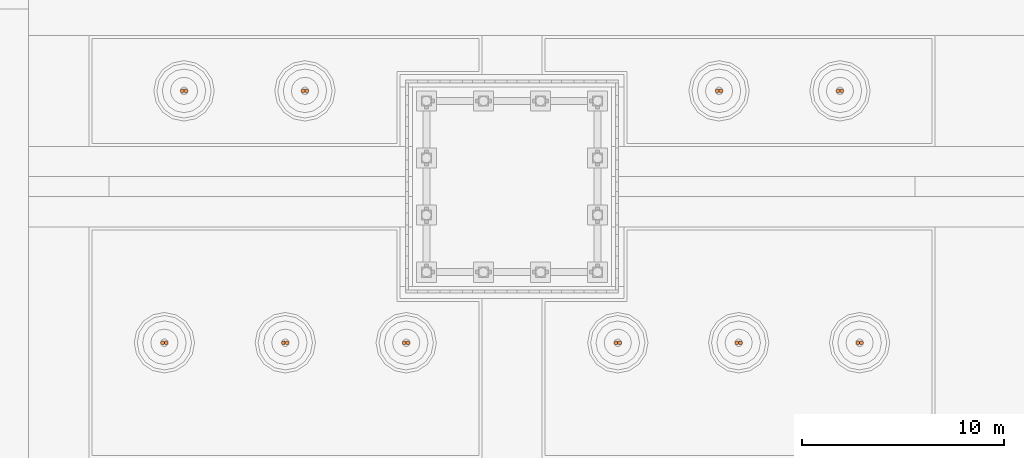
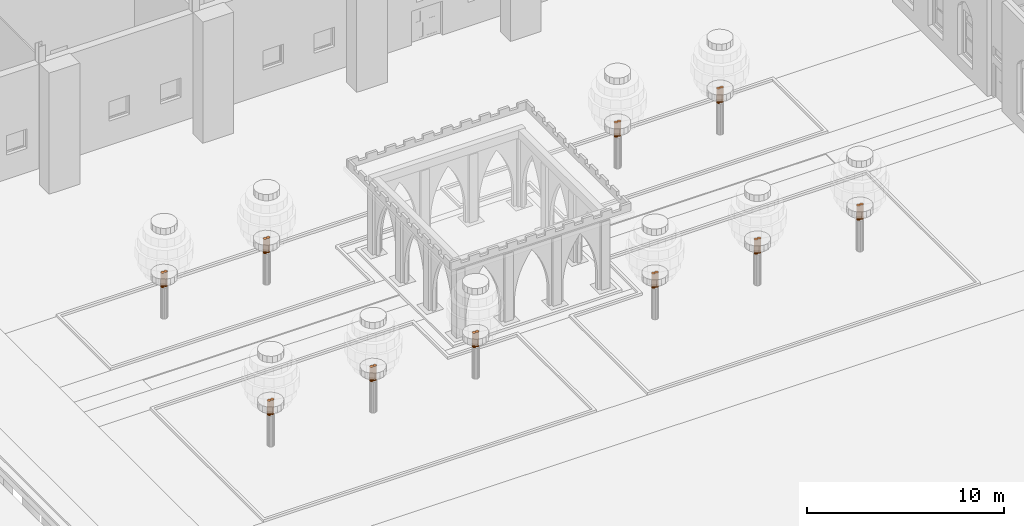
# One storey, part 249 of 250: 20 geographic elements.
"""IFC4 building model written with IfcOpenShell, lengths in metres."""

from ifc_helpers import new_model, si_unit, direction, frame, origin, place, context, subcontext, project, spatial, polyline, outline, extrude, material, type_object, element, save


model = new_model("IFC4")

# Units and contexts
model_context = context("Model", 3, precision=1e-05, world=origin(), true_north=direction((0.0, 1.0)))
body_context = subcontext(model_context, "Body", "Model", "MODEL_VIEW")
ifc_project = project(units=[si_unit("LENGTHUNIT", "METRE"), si_unit("AREAUNIT", "SQUARE_METRE"), si_unit("VOLUMEUNIT", "CUBIC_METRE"), si_unit("PLANEANGLEUNIT", "RADIAN"), si_unit("MASSUNIT", "GRAM", prefix="KILO")], contexts=[model_context])

# Site, building, storey
site_placement = place(None, origin())
site = spatial("IfcSite", under=ifc_project, at=site_placement, CompositionType="ELEMENT")
building_placement = place(site_placement, origin())
building = spatial("IfcBuilding", under=site, at=building_placement, Name="Baradari Gate Terminus", CompositionType="ELEMENT")
storey_placement = place(building_placement, origin())
storey = spatial("IfcBuildingStorey", under=building, at=storey_placement, Name="L00", CompositionType="ELEMENT", Elevation=0.0)

# Geographic elements
ifc_material = material(Name="Timber, hardwood", Category="wood")
geographic_element_type = type_object("IfcGeographicElementType", Name="Garden tree limb TR-12 200x900", PredefinedType="USERDEFINED", material=ifc_material)
geographic_element_1_placement = place(storey_placement, frame((0.0, 0.0, 1.89990234375)))
element("IfcGeographicElement", 1, at=geographic_element_1_placement, inside=storey, type_object=geographic_element_type, Name="Garden tree 13 limb 1", ObjectType="TREE", PredefinedType="USERDEFINED", context=body_context, shape_type="SweptSolid", body=[
    extrude(outline(polyline([(15.760009765625, 89.75), (15.75244140625, 89.788330078125), (15.730712890625, 89.82080078125), (15.6982421875, 89.84228515625), (15.659912109375, 89.85009765625), (15.621826171875, 89.84228515625), (15.58935546875, 89.82080078125), (15.567626953125, 89.788330078125), (15.56005859375, 89.75), (15.567626953125, 89.711669921875), (15.58935546875, 89.67919921875), (15.621826171875, 89.65771484375), (15.659912109375, 89.64990234375), (15.6982421875, 89.65771484375), (15.730712890625, 89.67919921875), (15.75244140625, 89.711669921875), (15.760009765625, 89.75)])), origin(), (0.0, 0.0, 1.0), 0.900146484375),
])
geographic_element_2_placement = place(storey_placement, frame((0.0, 0.0, 1.89990234375)))
element("IfcGeographicElement", 2, at=geographic_element_2_placement, inside=storey, type_object=geographic_element_type, Name="Garden tree 13 limb 2", ObjectType="TREE", PredefinedType="USERDEFINED", context=body_context, shape_type="SweptSolid", body=[
    extrude(outline(polyline([(15.93994140625, 89.75), (15.932373046875, 89.788330078125), (15.91064453125, 89.82080078125), (15.878173828125, 89.84228515625), (15.840087890625, 89.85009765625), (15.8017578125, 89.84228515625), (15.769287109375, 89.82080078125), (15.74755859375, 89.788330078125), (15.739990234375, 89.75), (15.74755859375, 89.711669921875), (15.769287109375, 89.67919921875), (15.8017578125, 89.65771484375), (15.840087890625, 89.64990234375), (15.878173828125, 89.65771484375), (15.91064453125, 89.67919921875), (15.932373046875, 89.711669921875), (15.93994140625, 89.75)])), origin(), (0.0, 0.0, 1.0), 0.900146484375),
])
geographic_element_3_placement = place(storey_placement, frame((0.0, 0.0, 1.89990234375)))
element("IfcGeographicElement", 3, at=geographic_element_3_placement, inside=storey, type_object=geographic_element_type, Name="Garden tree 14 limb 1", ObjectType="TREE", PredefinedType="USERDEFINED", context=body_context, shape_type="SweptSolid", body=[
    extrude(outline(polyline([(21.760009765625, 89.75), (21.75244140625, 89.788330078125), (21.730712890625, 89.82080078125), (21.6982421875, 89.84228515625), (21.659912109375, 89.85009765625), (21.621826171875, 89.84228515625), (21.58935546875, 89.82080078125), (21.567626953125, 89.788330078125), (21.56005859375, 89.75), (21.567626953125, 89.711669921875), (21.58935546875, 89.67919921875), (21.621826171875, 89.65771484375), (21.659912109375, 89.64990234375), (21.6982421875, 89.65771484375), (21.730712890625, 89.67919921875), (21.75244140625, 89.711669921875), (21.760009765625, 89.75)])), origin(), (0.0, 0.0, 1.0), 0.900146484375),
])
geographic_element_4_placement = place(storey_placement, frame((0.0, 0.0, 1.89990234375)))
element("IfcGeographicElement", 4, at=geographic_element_4_placement, inside=storey, type_object=geographic_element_type, Name="Garden tree 14 limb 2", ObjectType="TREE", PredefinedType="USERDEFINED", context=body_context, shape_type="SweptSolid", body=[
    extrude(outline(polyline([(21.93994140625, 89.75), (21.932373046875, 89.788330078125), (21.91064453125, 89.82080078125), (21.878173828125, 89.84228515625), (21.840087890625, 89.85009765625), (21.8017578125, 89.84228515625), (21.769287109375, 89.82080078125), (21.74755859375, 89.788330078125), (21.739990234375, 89.75), (21.74755859375, 89.711669921875), (21.769287109375, 89.67919921875), (21.8017578125, 89.65771484375), (21.840087890625, 89.64990234375), (21.878173828125, 89.65771484375), (21.91064453125, 89.67919921875), (21.932373046875, 89.711669921875), (21.93994140625, 89.75)])), origin(), (0.0, 0.0, 1.0), 0.900146484375),
])
geographic_element_5_placement = place(storey_placement, frame((0.0, 0.0, 1.89990234375)))
element("IfcGeographicElement", 5, at=geographic_element_5_placement, inside=storey, type_object=geographic_element_type, Name="Garden tree 15 limb 1", ObjectType="TREE", PredefinedType="USERDEFINED", context=body_context, shape_type="SweptSolid", body=[
    extrude(outline(polyline([(27.760009765625, 89.75), (27.75244140625, 89.788330078125), (27.730712890625, 89.82080078125), (27.6982421875, 89.84228515625), (27.659912109375, 89.85009765625), (27.621826171875, 89.84228515625), (27.58935546875, 89.82080078125), (27.567626953125, 89.788330078125), (27.56005859375, 89.75), (27.567626953125, 89.711669921875), (27.58935546875, 89.67919921875), (27.621826171875, 89.65771484375), (27.659912109375, 89.64990234375), (27.6982421875, 89.65771484375), (27.730712890625, 89.67919921875), (27.75244140625, 89.711669921875), (27.760009765625, 89.75)])), origin(), (0.0, 0.0, 1.0), 0.900146484375),
])
geographic_element_6_placement = place(storey_placement, frame((0.0, 0.0, 1.89990234375)))
element("IfcGeographicElement", 6, at=geographic_element_6_placement, inside=storey, type_object=geographic_element_type, Name="Garden tree 15 limb 2", ObjectType="TREE", PredefinedType="USERDEFINED", context=body_context, shape_type="SweptSolid", body=[
    extrude(outline(polyline([(27.93994140625, 89.75), (27.932373046875, 89.788330078125), (27.91064453125, 89.82080078125), (27.878173828125, 89.84228515625), (27.840087890625, 89.85009765625), (27.8017578125, 89.84228515625), (27.769287109375, 89.82080078125), (27.74755859375, 89.788330078125), (27.739990234375, 89.75), (27.74755859375, 89.711669921875), (27.769287109375, 89.67919921875), (27.8017578125, 89.65771484375), (27.840087890625, 89.64990234375), (27.878173828125, 89.65771484375), (27.91064453125, 89.67919921875), (27.932373046875, 89.711669921875), (27.93994140625, 89.75)])), origin(), (0.0, 0.0, 1.0), 0.900146484375),
])
geographic_element_7_placement = place(storey_placement, frame((0.0, 0.0, 1.89990234375)))
element("IfcGeographicElement", 7, at=geographic_element_7_placement, inside=storey, type_object=geographic_element_type, Name="Garden tree 16 limb 1", ObjectType="TREE", PredefinedType="USERDEFINED", context=body_context, shape_type="SweptSolid", body=[
    extrude(outline(polyline([(16.735107421875, 102.25), (16.727294921875, 102.288330078125), (16.705810546875, 102.32080078125), (16.67333984375, 102.34228515625), (16.635009765625, 102.35009765625), (16.5966796875, 102.34228515625), (16.564208984375, 102.32080078125), (16.542724609375, 102.288330078125), (16.534912109375, 102.25), (16.542724609375, 102.211669921875), (16.564208984375, 102.17919921875), (16.5966796875, 102.15771484375), (16.635009765625, 102.14990234375), (16.67333984375, 102.15771484375), (16.705810546875, 102.17919921875), (16.727294921875, 102.211669921875), (16.735107421875, 102.25)])), origin(), (0.0, 0.0, 1.0), 0.900146484375),
])
geographic_element_8_placement = place(storey_placement, frame((0.0, 0.0, 1.89990234375)))
element("IfcGeographicElement", 8, at=geographic_element_8_placement, inside=storey, type_object=geographic_element_type, Name="Garden tree 16 limb 2", ObjectType="TREE", PredefinedType="USERDEFINED", context=body_context, shape_type="SweptSolid", body=[
    extrude(outline(polyline([(16.9150390625, 102.25), (16.907470703125, 102.288330078125), (16.8857421875, 102.32080078125), (16.853271484375, 102.34228515625), (16.81494140625, 102.35009765625), (16.776611328125, 102.34228515625), (16.744384765625, 102.32080078125), (16.72265625, 102.288330078125), (16.715087890625, 102.25), (16.72265625, 102.211669921875), (16.744384765625, 102.17919921875), (16.776611328125, 102.15771484375), (16.81494140625, 102.14990234375), (16.853271484375, 102.15771484375), (16.8857421875, 102.17919921875), (16.907470703125, 102.211669921875), (16.9150390625, 102.25)])), origin(), (0.0, 0.0, 1.0), 0.900146484375),
])
geographic_element_9_placement = place(storey_placement, frame((0.0, 0.0, 1.89990234375)))
element("IfcGeographicElement", 9, at=geographic_element_9_placement, inside=storey, type_object=geographic_element_type, Name="Garden tree 17 limb 1", ObjectType="TREE", PredefinedType="USERDEFINED", context=body_context, shape_type="SweptSolid", body=[
    extrude(outline(polyline([(22.735107421875, 102.25), (22.727294921875, 102.288330078125), (22.705810546875, 102.32080078125), (22.67333984375, 102.34228515625), (22.635009765625, 102.35009765625), (22.5966796875, 102.34228515625), (22.564208984375, 102.32080078125), (22.542724609375, 102.288330078125), (22.534912109375, 102.25), (22.542724609375, 102.211669921875), (22.564208984375, 102.17919921875), (22.5966796875, 102.15771484375), (22.635009765625, 102.14990234375), (22.67333984375, 102.15771484375), (22.705810546875, 102.17919921875), (22.727294921875, 102.211669921875), (22.735107421875, 102.25)])), origin(), (0.0, 0.0, 1.0), 0.900146484375),
])
geographic_element_10_placement = place(storey_placement, frame((0.0, 0.0, 1.89990234375)))
element("IfcGeographicElement", 10, at=geographic_element_10_placement, inside=storey, type_object=geographic_element_type, Name="Garden tree 17 limb 2", ObjectType="TREE", PredefinedType="USERDEFINED", context=body_context, shape_type="SweptSolid", body=[
    extrude(outline(polyline([(22.9150390625, 102.25), (22.907470703125, 102.288330078125), (22.8857421875, 102.32080078125), (22.853271484375, 102.34228515625), (22.81494140625, 102.35009765625), (22.776611328125, 102.34228515625), (22.744384765625, 102.32080078125), (22.72265625, 102.288330078125), (22.715087890625, 102.25), (22.72265625, 102.211669921875), (22.744384765625, 102.17919921875), (22.776611328125, 102.15771484375), (22.81494140625, 102.14990234375), (22.853271484375, 102.15771484375), (22.8857421875, 102.17919921875), (22.907470703125, 102.211669921875), (22.9150390625, 102.25)])), origin(), (0.0, 0.0, 1.0), 0.900146484375),
])
geographic_element_11_placement = place(storey_placement, frame((0.0, 0.0, 1.89990234375)))
element("IfcGeographicElement", 11, at=geographic_element_11_placement, inside=storey, type_object=geographic_element_type, Name="Garden tree 18 limb 1", ObjectType="TREE", PredefinedType="USERDEFINED", context=body_context, shape_type="SweptSolid", body=[
    extrude(outline(polyline([(38.260009765625, 89.75), (38.25244140625, 89.788330078125), (38.230712890625, 89.82080078125), (38.1982421875, 89.84228515625), (38.159912109375, 89.85009765625), (38.121826171875, 89.84228515625), (38.08935546875, 89.82080078125), (38.067626953125, 89.788330078125), (38.06005859375, 89.75), (38.067626953125, 89.711669921875), (38.08935546875, 89.67919921875), (38.121826171875, 89.65771484375), (38.159912109375, 89.64990234375), (38.1982421875, 89.65771484375), (38.230712890625, 89.67919921875), (38.25244140625, 89.711669921875), (38.260009765625, 89.75)])), origin(), (0.0, 0.0, 1.0), 0.900146484375),
])
geographic_element_12_placement = place(storey_placement, frame((0.0, 0.0, 1.89990234375)))
element("IfcGeographicElement", 12, at=geographic_element_12_placement, inside=storey, type_object=geographic_element_type, Name="Garden tree 18 limb 2", ObjectType="TREE", PredefinedType="USERDEFINED", context=body_context, shape_type="SweptSolid", body=[
    extrude(outline(polyline([(38.43994140625, 89.75), (38.432373046875, 89.788330078125), (38.41064453125, 89.82080078125), (38.378173828125, 89.84228515625), (38.340087890625, 89.85009765625), (38.3017578125, 89.84228515625), (38.269287109375, 89.82080078125), (38.24755859375, 89.788330078125), (38.239990234375, 89.75), (38.24755859375, 89.711669921875), (38.269287109375, 89.67919921875), (38.3017578125, 89.65771484375), (38.340087890625, 89.64990234375), (38.378173828125, 89.65771484375), (38.41064453125, 89.67919921875), (38.432373046875, 89.711669921875), (38.43994140625, 89.75)])), origin(), (0.0, 0.0, 1.0), 0.900146484375),
])
geographic_element_13_placement = place(storey_placement, frame((0.0, 0.0, 1.89990234375)))
element("IfcGeographicElement", 13, at=geographic_element_13_placement, inside=storey, type_object=geographic_element_type, Name="Garden tree 19 limb 1", ObjectType="TREE", PredefinedType="USERDEFINED", context=body_context, shape_type="SweptSolid", body=[
    extrude(outline(polyline([(44.260009765625, 89.75), (44.25244140625, 89.788330078125), (44.230712890625, 89.82080078125), (44.1982421875, 89.84228515625), (44.159912109375, 89.85009765625), (44.121826171875, 89.84228515625), (44.08935546875, 89.82080078125), (44.067626953125, 89.788330078125), (44.06005859375, 89.75), (44.067626953125, 89.711669921875), (44.08935546875, 89.67919921875), (44.121826171875, 89.65771484375), (44.159912109375, 89.64990234375), (44.1982421875, 89.65771484375), (44.230712890625, 89.67919921875), (44.25244140625, 89.711669921875), (44.260009765625, 89.75)])), origin(), (0.0, 0.0, 1.0), 0.900146484375),
])
geographic_element_14_placement = place(storey_placement, frame((0.0, 0.0, 1.89990234375)))
element("IfcGeographicElement", 14, at=geographic_element_14_placement, inside=storey, type_object=geographic_element_type, Name="Garden tree 19 limb 2", ObjectType="TREE", PredefinedType="USERDEFINED", context=body_context, shape_type="SweptSolid", body=[
    extrude(outline(polyline([(44.43994140625, 89.75), (44.432373046875, 89.788330078125), (44.41064453125, 89.82080078125), (44.378173828125, 89.84228515625), (44.340087890625, 89.85009765625), (44.3017578125, 89.84228515625), (44.269287109375, 89.82080078125), (44.24755859375, 89.788330078125), (44.239990234375, 89.75), (44.24755859375, 89.711669921875), (44.269287109375, 89.67919921875), (44.3017578125, 89.65771484375), (44.340087890625, 89.64990234375), (44.378173828125, 89.65771484375), (44.41064453125, 89.67919921875), (44.432373046875, 89.711669921875), (44.43994140625, 89.75)])), origin(), (0.0, 0.0, 1.0), 0.900146484375),
])
geographic_element_15_placement = place(storey_placement, frame((0.0, 0.0, 1.89990234375)))
element("IfcGeographicElement", 15, at=geographic_element_15_placement, inside=storey, type_object=geographic_element_type, Name="Garden tree 20 limb 1", ObjectType="TREE", PredefinedType="USERDEFINED", context=body_context, shape_type="SweptSolid", body=[
    extrude(outline(polyline([(50.260009765625, 89.75), (50.25244140625, 89.788330078125), (50.230712890625, 89.82080078125), (50.1982421875, 89.84228515625), (50.159912109375, 89.85009765625), (50.121826171875, 89.84228515625), (50.08935546875, 89.82080078125), (50.067626953125, 89.788330078125), (50.06005859375, 89.75), (50.067626953125, 89.711669921875), (50.08935546875, 89.67919921875), (50.121826171875, 89.65771484375), (50.159912109375, 89.64990234375), (50.1982421875, 89.65771484375), (50.230712890625, 89.67919921875), (50.25244140625, 89.711669921875), (50.260009765625, 89.75)])), origin(), (0.0, 0.0, 1.0), 0.900146484375),
])
geographic_element_16_placement = place(storey_placement, frame((0.0, 0.0, 1.89990234375)))
element("IfcGeographicElement", 16, at=geographic_element_16_placement, inside=storey, type_object=geographic_element_type, Name="Garden tree 20 limb 2", ObjectType="TREE", PredefinedType="USERDEFINED", context=body_context, shape_type="SweptSolid", body=[
    extrude(outline(polyline([(50.43994140625, 89.75), (50.432373046875, 89.788330078125), (50.41064453125, 89.82080078125), (50.378173828125, 89.84228515625), (50.340087890625, 89.85009765625), (50.3017578125, 89.84228515625), (50.269287109375, 89.82080078125), (50.24755859375, 89.788330078125), (50.239990234375, 89.75), (50.24755859375, 89.711669921875), (50.269287109375, 89.67919921875), (50.3017578125, 89.65771484375), (50.340087890625, 89.64990234375), (50.378173828125, 89.65771484375), (50.41064453125, 89.67919921875), (50.432373046875, 89.711669921875), (50.43994140625, 89.75)])), origin(), (0.0, 0.0, 1.0), 0.900146484375),
])
geographic_element_17_placement = place(storey_placement, frame((0.0, 0.0, 1.89990234375)))
element("IfcGeographicElement", 17, at=geographic_element_17_placement, inside=storey, type_object=geographic_element_type, Name="Garden tree 21 limb 1", ObjectType="TREE", PredefinedType="USERDEFINED", context=body_context, shape_type="SweptSolid", body=[
    extrude(outline(polyline([(43.284912109375, 102.25), (43.27734375, 102.288330078125), (43.255615234375, 102.32080078125), (43.223388671875, 102.34228515625), (43.18505859375, 102.35009765625), (43.146728515625, 102.34228515625), (43.1142578125, 102.32080078125), (43.092529296875, 102.288330078125), (43.0849609375, 102.25), (43.092529296875, 102.211669921875), (43.1142578125, 102.17919921875), (43.146728515625, 102.15771484375), (43.18505859375, 102.14990234375), (43.223388671875, 102.15771484375), (43.255615234375, 102.17919921875), (43.27734375, 102.211669921875), (43.284912109375, 102.25)])), origin(), (0.0, 0.0, 1.0), 0.900146484375),
])
geographic_element_18_placement = place(storey_placement, frame((0.0, 0.0, 1.89990234375)))
element("IfcGeographicElement", 18, at=geographic_element_18_placement, inside=storey, type_object=geographic_element_type, Name="Garden tree 21 limb 2", ObjectType="TREE", PredefinedType="USERDEFINED", context=body_context, shape_type="SweptSolid", body=[
    extrude(outline(polyline([(43.465087890625, 102.25), (43.457275390625, 102.288330078125), (43.435791015625, 102.32080078125), (43.4033203125, 102.34228515625), (43.364990234375, 102.35009765625), (43.32666015625, 102.34228515625), (43.294189453125, 102.32080078125), (43.272705078125, 102.288330078125), (43.264892578125, 102.25), (43.272705078125, 102.211669921875), (43.294189453125, 102.17919921875), (43.32666015625, 102.15771484375), (43.364990234375, 102.14990234375), (43.4033203125, 102.15771484375), (43.435791015625, 102.17919921875), (43.457275390625, 102.211669921875), (43.465087890625, 102.25)])), origin(), (0.0, 0.0, 1.0), 0.900146484375),
])
geographic_element_19_placement = place(storey_placement, frame((0.0, 0.0, 1.89990234375)))
element("IfcGeographicElement", 19, at=geographic_element_19_placement, inside=storey, type_object=geographic_element_type, Name="Garden tree 22 limb 1", ObjectType="TREE", PredefinedType="USERDEFINED", context=body_context, shape_type="SweptSolid", body=[
    extrude(outline(polyline([(49.284912109375, 102.25), (49.27734375, 102.288330078125), (49.255615234375, 102.32080078125), (49.223388671875, 102.34228515625), (49.18505859375, 102.35009765625), (49.146728515625, 102.34228515625), (49.1142578125, 102.32080078125), (49.092529296875, 102.288330078125), (49.0849609375, 102.25), (49.092529296875, 102.211669921875), (49.1142578125, 102.17919921875), (49.146728515625, 102.15771484375), (49.18505859375, 102.14990234375), (49.223388671875, 102.15771484375), (49.255615234375, 102.17919921875), (49.27734375, 102.211669921875), (49.284912109375, 102.25)])), origin(), (0.0, 0.0, 1.0), 0.900146484375),
])
geographic_element_20_placement = place(storey_placement, frame((0.0, 0.0, 1.89990234375)))
element("IfcGeographicElement", 20, at=geographic_element_20_placement, inside=storey, type_object=geographic_element_type, Name="Garden tree 22 limb 2", ObjectType="TREE", PredefinedType="USERDEFINED", context=body_context, shape_type="SweptSolid", body=[
    extrude(outline(polyline([(49.465087890625, 102.25), (49.457275390625, 102.288330078125), (49.435791015625, 102.32080078125), (49.4033203125, 102.34228515625), (49.364990234375, 102.35009765625), (49.32666015625, 102.34228515625), (49.294189453125, 102.32080078125), (49.272705078125, 102.288330078125), (49.264892578125, 102.25), (49.272705078125, 102.211669921875), (49.294189453125, 102.17919921875), (49.32666015625, 102.15771484375), (49.364990234375, 102.14990234375), (49.4033203125, 102.15771484375), (49.435791015625, 102.17919921875), (49.457275390625, 102.211669921875), (49.465087890625, 102.25)])), origin(), (0.0, 0.0, 1.0), 0.900146484375),
])

save(model, "model.ifc")
